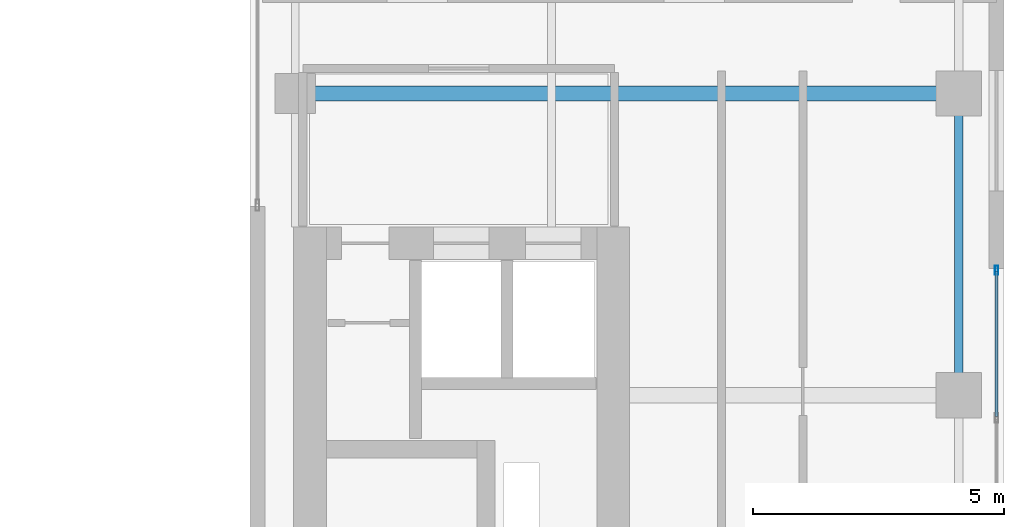
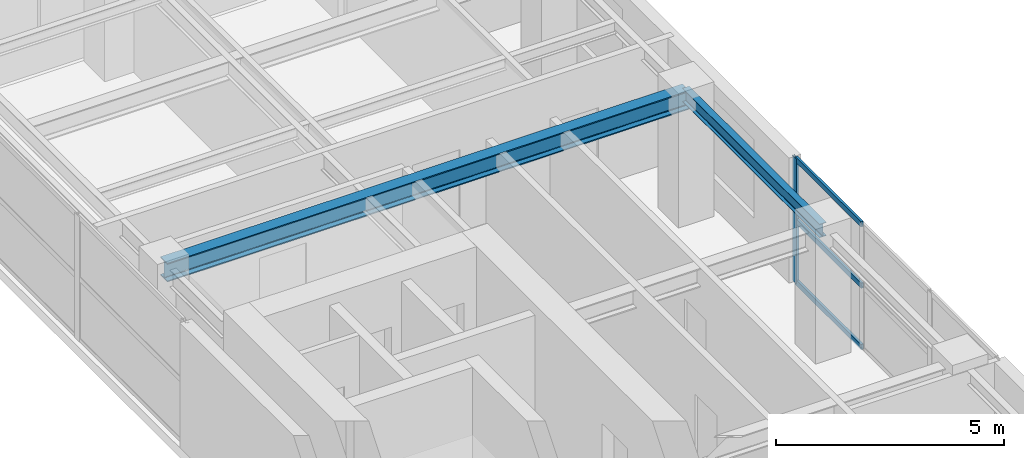
# One storey, part 11 of 21: 4 members, 2 beams, 1 element without a shape of its own.
"""IFC4 building model written with IfcOpenShell, lengths in metres."""

import ifcopenshell
import ifcopenshell.guid

model = None  # the IFC model being written
_history = None  # IfcOwnerHistory: only IFC2X3 demands one
_inside = {}  # id of a spatial element -> (the spatial element, [elements in it])
_under = {}  # id of a project, library or spatial element -> (it, [spatial elements below it])
_declared = {}  # id of a project -> (the project, [libraries it declares])
_typed = {}  # id of a type object -> (the type object, [elements of that type])
_made_of = {}  # id of a material, layer set ... -> (it, [elements and type objects made of it])


def new_model(schema):
    """Start an empty IFC model of exactly this schema.

    Asked for "IFC4X3", IfcOpenShell would pick the latest addendum, in which some entities
    have other attributes; the version numbers below select the first issue.
    IFC2X3 requires an IfcOwnerHistory on every rooted entity: one is made here for all.
    """
    global model, _history
    if schema == "IFC4X3":
        model = ifcopenshell.file(schema_version=(4, 3, 0, 0))
    else:
        model = ifcopenshell.file(schema=schema)
    _inside.clear()
    _under.clear()
    _declared.clear()
    _typed.clear()
    _made_of.clear()
    _history = None
    if model.schema == "IFC2X3":
        org = make("IfcOrganization", Name="unknown")
        user = make(
            "IfcPersonAndOrganization",
            ThePerson=make("IfcPerson", FamilyName="unknown"),
            TheOrganization=org,
        )
        app = make(
            "IfcApplication",
            ApplicationDeveloper=org,
            Version="unknown",
            ApplicationFullName="unknown",
            ApplicationIdentifier="unknown",
        )
        _history = make(
            "IfcOwnerHistory",
            OwningUser=user,
            OwningApplication=app,
            ChangeAction="ADDED",
            CreationDate=0,
        )
    return model


def make(cls, **values):
    """One entity of the class cls with the attributes given. An attribute that is None is left unset."""
    return model.create_entity(
        cls, **{name: value for name, value in values.items() if value is not None}
    )


def rooted(cls, **values):
    """An entity with a GlobalId (a new one), such as an element, a storey or a relation."""
    return make(cls, GlobalId=ifcopenshell.guid.new(), OwnerHistory=_history, **values)


def si_unit(unit_type, name, prefix=None):
    """IfcSIUnit, for example si_unit("LENGTHUNIT", "METRE", prefix="MILLI")."""
    return make("IfcSIUnit", UnitType=unit_type, Prefix=prefix, Name=name)


def assignment(units):
    """IfcUnitAssignment: the units of a project."""
    return None if units is None else make("IfcUnitAssignment", Units=units)


def point(xyz):
    """IfcCartesianPoint."""
    return None if xyz is None else make("IfcCartesianPoint", Coordinates=xyz)


def direction(xyz):
    """IfcDirection."""
    return None if xyz is None else make("IfcDirection", DirectionRatios=xyz)


def frame(location, z_axis=None, x_axis=None):
    """IfcAxis2Placement3D, a coordinate frame: its origin and axes. An axis left out is left unset."""
    return make(
        "IfcAxis2Placement3D",
        Location=point(location),
        Axis=direction(z_axis),
        RefDirection=direction(x_axis),
    )


def frame_2d(location, x_axis=None):
    """IfcAxis2Placement2D, a coordinate frame in the plane: its origin and x axis."""
    return make(
        "IfcAxis2Placement2D", Location=point(location), RefDirection=direction(x_axis)
    )


def origin():
    """The frame at (0, 0, 0) with its axes left unset."""
    return frame((0.0, 0.0, 0.0))


def origin_2d():
    """The frame at (0, 0) in the plane with its x axis left unset."""
    return frame_2d((0.0, 0.0))


def place(relative_to, where):
    """IfcLocalPlacement: puts the frame where relative to a parent placement (None: the world)."""
    return make(
        "IfcLocalPlacement", PlacementRelTo=relative_to, RelativePlacement=where
    )


def context(
    kind, dimensions, precision=None, world=None, true_north=None, identifier=None
):
    """IfcGeometricRepresentationContext, for example the 3D "Model" context."""
    return make(
        "IfcGeometricRepresentationContext",
        ContextIdentifier=identifier,
        ContextType=kind,
        CoordinateSpaceDimension=dimensions,
        Precision=precision,
        WorldCoordinateSystem=world,
        TrueNorth=true_north,
    )


def subcontext(parent, identifier, kind, view, scale=None):
    """IfcGeometricRepresentationSubContext, for example "Body" below "Model"."""
    return make(
        "IfcGeometricRepresentationSubContext",
        ContextIdentifier=identifier,
        ContextType=kind,
        ParentContext=parent,
        TargetScale=scale,
        TargetView=view,
    )


def project(units=None, contexts=None):
    """IfcProject with its units and contexts."""
    return rooted(
        "IfcProject",
        Name="project",
        RepresentationContexts=contexts,
        UnitsInContext=assignment(units),
    )


def spatial(cls, under=None, at=None, **own):
    """A site, building, storey or space (cls), placed at a placement, below another one or the project."""
    s = rooted(cls, ObjectPlacement=at, **own)
    if under is not None:
        _under.setdefault(under.id(), (under, []))[1].append(s)
    return s


def profile(cls, at=None, kind="AREA", **sizes):
    """A parametric profile (cls). Its sizes go by their IFC names, for example OverallWidth=200.0."""
    return make(cls, ProfileType=kind, Position=at, **sizes)


def hollow_rectangle(**sizes):
    """IfcRectangleHollowProfileDef."""
    return profile("IfcRectangleHollowProfileDef", **sizes)


def i_section(**sizes):
    """IfcIShapeProfileDef."""
    return profile("IfcIShapeProfileDef", **sizes)


def extrude(swept, where, along, depth):
    """IfcExtrudedAreaSolid: the profile swept, set in the frame where, extruded along a direction by depth."""
    return make(
        "IfcExtrudedAreaSolid",
        SweptArea=swept,
        Position=where,
        ExtrudedDirection=direction(along),
        Depth=depth,
    )


def shape(context_of_items, identifier, shape_type, items):
    """IfcShapeRepresentation: the items that make up one representation, for example the "Body"."""
    return make(
        "IfcShapeRepresentation",
        ContextOfItems=context_of_items,
        RepresentationIdentifier=identifier,
        RepresentationType=shape_type,
        Items=items,
    )


def source(mapping_origin, context_of_items, identifier, shape_type, items):
    """IfcRepresentationMap: a shape defined once, which mapped items show again and again."""
    return make(
        "IfcRepresentationMap",
        MappingOrigin=mapping_origin,
        MappedRepresentation=shape(context_of_items, identifier, shape_type, items),
    )


def transform(
    local_origin,
    x_axis=None,
    y_axis=None,
    z_axis=None,
    scale=None,
    scale2=None,
    scale3=None,
    uniform=True,
):
    """IfcCartesianTransformationOperator3D, or its non-uniform kind. x_axis, y_axis, z_axis: its Axis1, 2, 3."""
    if uniform:
        return make(
            "IfcCartesianTransformationOperator3D",
            Axis1=direction(x_axis),
            Axis2=direction(y_axis),
            LocalOrigin=point(local_origin),
            Scale=scale,
            Axis3=direction(z_axis),
        )
    return make(
        "IfcCartesianTransformationOperator3DnonUniform",
        Axis1=direction(x_axis),
        Axis2=direction(y_axis),
        LocalOrigin=point(local_origin),
        Scale=scale,
        Axis3=direction(z_axis),
        Scale2=scale2,
        Scale3=scale3,
    )


def mapped(mapping_source, mapping_target):
    """IfcMappedItem: shows the shape of a source again, moved by a transform."""
    return make(
        "IfcMappedItem", MappingSource=mapping_source, MappingTarget=mapping_target
    )


def material(Name=None, Category=None):
    """IfcMaterial."""
    return make("IfcMaterial", Name=Name, Category=Category)


def layer(
    of_material, thickness, ventilated=None, Name=None, Category=None, Priority=None
):
    """IfcMaterialLayer: one layer of a wall or slab, of a material (None: an air gap)."""
    return make(
        "IfcMaterialLayer",
        Material=of_material,
        LayerThickness=thickness,
        IsVentilated=ventilated,
        Name=Name,
        Category=Category,
        Priority=Priority,
    )


def layer_set(layers, Name=None):
    """IfcMaterialLayerSet."""
    return make("IfcMaterialLayerSet", MaterialLayers=layers, LayerSetName=Name)


def material_profile(
    of_material, cross_section, Name=None, Category=None, Priority=None
):
    """IfcMaterialProfile: a cross section and its material."""
    return make(
        "IfcMaterialProfile",
        Name=Name,
        Material=of_material,
        Profile=cross_section,
        Priority=Priority,
        Category=Category,
    )


def profile_set(profiles, Name=None, composite=None):
    """IfcMaterialProfileSet."""
    return make(
        "IfcMaterialProfileSet",
        Name=Name,
        MaterialProfiles=profiles,
        CompositeProfile=composite,
    )


def made_of(thing, what):
    """Note that an element or type object is made of a material, layer set ...; save() writes the relation."""
    if what is not None:
        _made_of.setdefault(what.id(), (what, []))[1].append(thing)
    return thing


def type_object(cls, material=None, **own):
    """A type object (cls), such as IfcWallType, which elements share."""
    return made_of(rooted(cls, **own), material)


def element(
    cls,
    number,
    at=None,
    inside=None,
    cuts=None,
    type_object=None,
    material=None,
    context=None,
    identifier="Body",
    shape_type=None,
    held_by="IfcProductDefinitionShape",
    body=None,
    shapes=None,
    **own,
):
    """One element of the class cls, such as IfcWall. Its Tag is "e" and its number.

    at: its placement. inside: the storey or other place that contains it. cuts: it is an
    opening in that element (IfcRelVoidsElement). A single representation is given by context,
    identifier, shape_type and body (its items); several are given by shapes. held_by: the class
    of the entity that holds the representations. save() writes the other relations.
    """
    e = rooted(cls, Tag="e%d" % number, ObjectPlacement=at, **own)
    if body is not None:
        shapes = [shape(context, identifier, shape_type, body)]
    if shapes is not None:
        e.Representation = make(held_by, Representations=shapes)
    if inside is not None:
        _inside.setdefault(inside.id(), (inside, []))[1].append(e)
    if cuts is not None:
        rooted(
            "IfcRelVoidsElement", RelatingBuildingElement=cuts, RelatedOpeningElement=e
        )
    if type_object is not None:
        _typed.setdefault(type_object.id(), (type_object, []))[1].append(e)
    return made_of(e, material)


def aggregate(whole, parts):
    """IfcRelAggregates: a whole, such as a stair, and the parts it consists of."""
    return rooted("IfcRelAggregates", RelatingObject=whole, RelatedObjects=parts)


def save(model, path):
    """Write the relations noted so far, then the file.

    IfcRelAggregates (storeys below a building ...), IfcRelContainedInSpatialStructure (elements
    in a storey), IfcRelDefinesByType, IfcRelAssociatesMaterial and IfcRelDeclares: one each for
    every whole, place, type object, material and project.
    """
    for whole, parts in _under.values():
        aggregate(whole, parts)
    for where, things in _inside.values():
        rooted(
            "IfcRelContainedInSpatialStructure",
            RelatedElements=things,
            RelatingStructure=where,
        )
    for kind, things in _typed.values():
        rooted("IfcRelDefinesByType", RelatedObjects=things, RelatingType=kind)
    for what, things in _made_of.values():
        rooted("IfcRelAssociatesMaterial", RelatedObjects=things, RelatingMaterial=what)
    for by, libraries in _declared.values():
        rooted("IfcRelDeclares", RelatingContext=by, RelatedDefinitions=libraries)
    model.write(path)


model = new_model("IFC4")

# Units and contexts
model_context = context("Model", 3, precision=1e-05, world=origin(), true_north=direction((0.0, 1.0)))
body_context = subcontext(model_context, "Body", "Model", "MODEL_VIEW")
ifc_project = project(units=[si_unit("LENGTHUNIT", "METRE"), si_unit("AREAUNIT", "SQUARE_METRE"), si_unit("VOLUMEUNIT", "CUBIC_METRE"), si_unit("PLANEANGLEUNIT", "RADIAN"), si_unit("MASSUNIT", "GRAM", prefix="KILO")], contexts=[model_context])

# Site, building, storey
site_placement = place(None, origin())
site = spatial("IfcSite", under=ifc_project, at=site_placement, CompositionType="ELEMENT")
building_placement = place(site_placement, origin())
building = spatial("IfcBuilding", under=site, at=building_placement, Name="Khoralis Quay Care Tower", CompositionType="ELEMENT")
storey_placement = place(building_placement, frame((0.0, 0.0, 206.10009765625)))
storey = spatial("IfcBuildingStorey", under=building, at=storey_placement, Name="L54", CompositionType="ELEMENT", Elevation=206.10009765625)

# Beams
ifc_material_1 = material(Name="Steel S355", Category="steel")
ifc_material_profile_1 = material_profile(ifc_material_1, i_section(OverallWidth=0.169921875, OverallDepth=0.360107421875, WebThickness=0.008056640625, FlangeThickness=0.0126953125, FilletRadius=0.01806640625, at=origin_2d()), Name="Steel S355")
ifc_profile_set_1 = profile_set([ifc_material_profile_1], Name="Steel S355")
beam_type_1 = type_object("IfcBeamType", Name="BM-IPE360", PredefinedType="SPANDREL", material=ifc_profile_set_1)
shared_shape_1 = source(origin(), body_context, "Body", "SweptSolid", [
    extrude(i_section(OverallWidth=0.169921875, OverallDepth=0.360107421875, WebThickness=0.008056640625, FlangeThickness=0.0126953125, FilletRadius=0.01806640625, at=origin_2d()), origin(), (0.0, 0.0, 1.0), 6.0),
])
beam_1_placement = place(storey_placement, frame((44.10009765625, 24.0, 3.159912109375), z_axis=(0.0, 1.0, 0.0), x_axis=(-1.0, 0.0, 0.0)))
element("IfcBeam", 1, at=beam_1_placement, inside=storey, type_object=beam_type_1, Name="BM-TSP-L54-13", PredefinedType="SPANDREL", context=body_context, shape_type="MappedRepresentation", body=[
    mapped(shared_shape_1, transform((0.0, 0.0, 0.0), scale=1.0)),
])
ifc_material_profile_2 = material_profile(ifc_material_1, i_section(OverallWidth=0.300048828125, OverallDepth=0.5, WebThickness=0.014404296875, FlangeThickness=0.028076171875, FilletRadius=0.027099609375, at=origin_2d()), Name="Steel S355")
ifc_profile_set_2 = profile_set([ifc_material_profile_2], Name="Steel S355")
beam_type_2 = type_object("IfcBeamType", Name="BM-HEB500", PredefinedType="BEAM", material=ifc_profile_set_2)
shared_shape_2 = source(origin(), body_context, "Body", "SweptSolid", [
    extrude(i_section(OverallWidth=0.300048828125, OverallDepth=0.5, WebThickness=0.014404296875, FlangeThickness=0.028076171875, FilletRadius=0.027099609375, at=origin_2d()), origin(), (0.0, 0.0, 1.0), 13.2001953125),
])
beam_2_placement = place(storey_placement, frame((30.89990234375, 30.0, 3.08984375), z_axis=(1.0, 0.0, 0.0), x_axis=(0.0, 1.0, 0.0)))
element("IfcBeam", 2, at=beam_2_placement, inside=storey, type_object=beam_type_2, Name="BM-TGXE-L54-300", PredefinedType="BEAM", context=body_context, shape_type="MappedRepresentation", body=[
    mapped(shared_shape_2, transform((0.0, 0.0, 0.0), scale=1.0)),
])

# Curtain wall, members
ifc_material_2 = material(Name="Pale anodised aluminium", Category="aluminium")
ifc_layer = layer(ifc_material_2, 0.159912109375)
ifc_layer_set = layer_set([ifc_layer], Name="Pale anodised aluminium")
curtain_wall_type = type_object("IfcCurtainWallType", Name="CW-SYS-Z3", PredefinedType="NOTDEFINED", material=ifc_layer_set)
curtain_wall_placement = place(storey_placement, origin())
curtain_wall = element("IfcCurtainWall", 3, at=curtain_wall_placement, inside=storey, type_object=curtain_wall_type, Name="L54 Unitised Curtain Wall CW-L54-P2-E5", PredefinedType="NOTDEFINED")
ifc_material_profile_3 = material_profile(ifc_material_2, hollow_rectangle(XDim=0.06494140625, YDim=0.179931640625, WallThickness=0.00390625, at=origin_2d()), Name="Pale anodised aluminium")
ifc_profile_set_3 = profile_set([ifc_material_profile_3], Name="Pale anodised aluminium")
member_type_1 = type_object("IfcMemberType", Name="CW-MUL-180", PredefinedType="MULLION", material=ifc_profile_set_3)
shared_shape_3 = source(origin(), body_context, "Body", "SweptSolid", [
    extrude(hollow_rectangle(XDim=0.06494140625, YDim=0.179931640625, WallThickness=0.00390625, at=origin_2d()), origin(), (0.0, 0.0, 1.0), 3.33984375),
])
member_1_placement = place(storey_placement, frame((44.85009765625, 26.489990234375, 0.0), z_axis=(0.0, 0.0, 1.0), x_axis=(-1.0, 0.0, 0.0)))
member_1 = element("IfcMember", 4, at=member_1_placement, type_object=member_type_1, Name="CW3 mullion 4", PredefinedType="MULLION", context=body_context, shape_type="MappedRepresentation", body=[
    mapped(shared_shape_3, transform((0.0, 0.0, 0.0), scale=1.0)),
])
ifc_material_profile_4 = material_profile(ifc_material_2, hollow_rectangle(XDim=0.06005859375, YDim=0.139892578125, WallThickness=0.00390625, at=origin_2d()), Name="Pale anodised aluminium")
ifc_profile_set_4 = profile_set([ifc_material_profile_4], Name="Pale anodised aluminium")
member_type_2 = type_object("IfcMemberType", Name="CW-TRN-140", PredefinedType="USERDEFINED", material=ifc_profile_set_4)
shared_shape_4 = source(origin(), body_context, "Body", "SweptSolid", [
    extrude(hollow_rectangle(XDim=0.06005859375, YDim=0.139892578125, WallThickness=0.00390625, at=origin_2d()), origin(), (0.0, 0.0, 1.0), 2.88330078125),
])
member_2_placement = place(storey_placement, frame((44.85009765625, 23.57666015625, 0.02978515625), z_axis=(0.0, 1.0, 0.0), x_axis=(-1.0, 0.0, 0.0)))
member_2 = element("IfcMember", 5, at=member_2_placement, type_object=member_type_2, Name="CW3 transom 3.1", ObjectType="TRANSOM", PredefinedType="USERDEFINED", context=body_context, shape_type="MappedRepresentation", body=[
    mapped(shared_shape_4, transform((0.0, 0.0, 0.0), scale=1.0)),
])
member_3_placement = place(storey_placement, frame((44.85009765625, 23.57666015625, 1.669921875), z_axis=(0.0, 1.0, 0.0), x_axis=(-1.0, 0.0, 0.0)))
member_3 = element("IfcMember", 6, at=member_3_placement, type_object=member_type_2, Name="CW3 transom 3.2", ObjectType="TRANSOM", PredefinedType="USERDEFINED", context=body_context, shape_type="MappedRepresentation", body=[
    mapped(shared_shape_4, transform((0.0, 0.0, 0.0), scale=1.0)),
])
member_4_placement = place(storey_placement, frame((44.85009765625, 23.57666015625, 3.309814453125), z_axis=(0.0, 1.0, 0.0), x_axis=(-1.0, 0.0, 0.0)))
member_4 = element("IfcMember", 7, at=member_4_placement, type_object=member_type_2, Name="CW3 transom 3.3", ObjectType="TRANSOM", PredefinedType="USERDEFINED", context=body_context, shape_type="MappedRepresentation", body=[
    mapped(shared_shape_4, transform((0.0, 0.0, 0.0), scale=1.0)),
])
aggregate(curtain_wall, [member_1, member_2, member_3, member_4])

save(model, "model.ifc")
